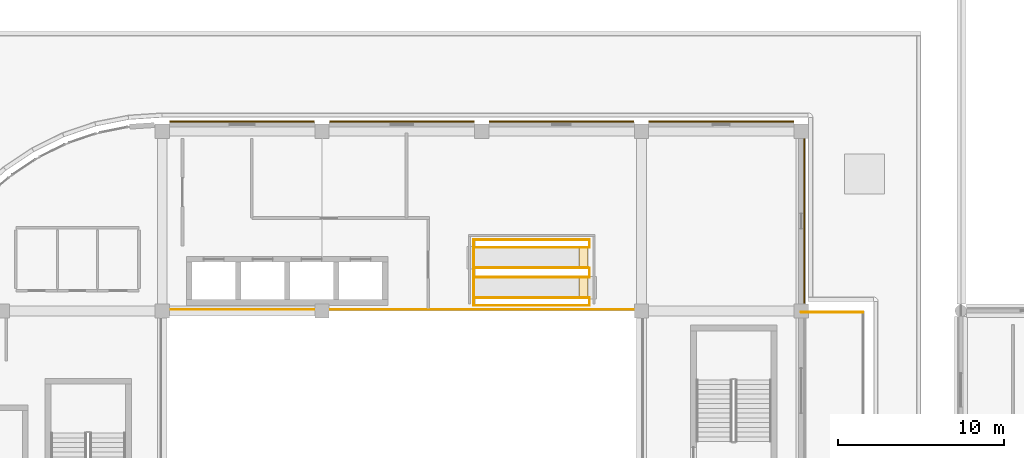
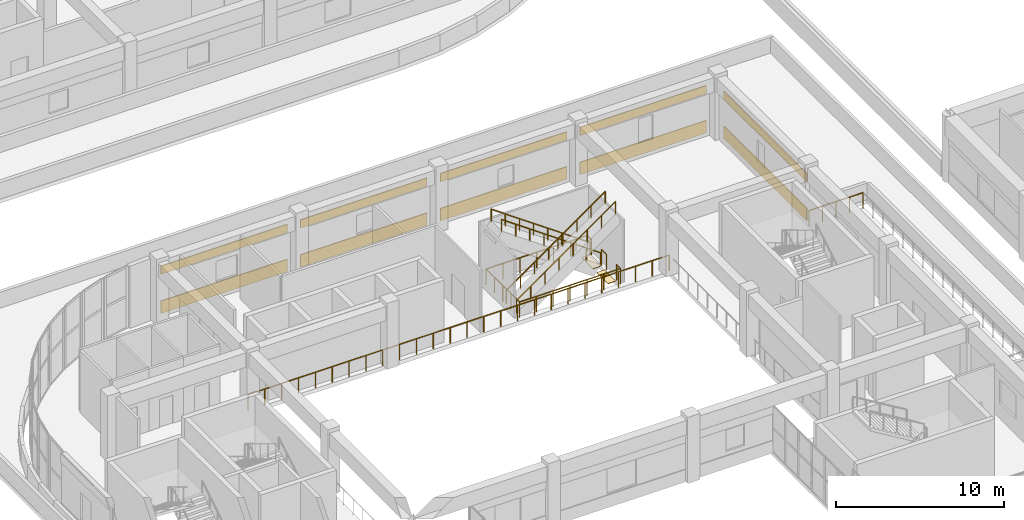
# One storey, part 58 of 67: 12 coverings, 12 railings.
"""IFC4 building model written with IfcOpenShell, lengths in metres."""

from ifc_helpers import new_model, si_unit, direction, frame, origin, origin_2d, place, context, subcontext, project, spatial, polyline, rectangle, circle, outline, extrude, material, layer, layer_set, type_object, element, save


model = new_model("IFC4")

# Units and contexts
model_context = context("Model", 3, precision=1e-05, world=origin(), true_north=direction((0.0, 1.0)))
body_context = subcontext(model_context, "Body", "Model", "MODEL_VIEW")
ifc_project = project(units=[si_unit("LENGTHUNIT", "METRE"), si_unit("AREAUNIT", "SQUARE_METRE"), si_unit("VOLUMEUNIT", "CUBIC_METRE"), si_unit("PLANEANGLEUNIT", "RADIAN"), si_unit("MASSUNIT", "GRAM", prefix="KILO")], contexts=[model_context])

# Site, building, storey
site_placement = place(None, origin())
site = spatial("IfcSite", under=ifc_project, at=site_placement, CompositionType="ELEMENT")
building_placement = place(site_placement, origin())
building = spatial("IfcBuilding", under=site, at=building_placement, Name="Cendralis Terraced Arcade", CompositionType="ELEMENT")
storey_placement = place(building_placement, frame((0.0, 0.0, 15.0)))
storey = spatial("IfcBuildingStorey", under=building, at=storey_placement, Name="L03", CompositionType="ELEMENT", Elevation=15.0)

# Coverings
ifc_material_1 = material(Name="Precast concrete f'c 40 MPa", Category="concrete")
ifc_layer_1 = layer(ifc_material_1, 0.06494140625, Name="COV-CLAD-GRC-65")
ifc_layer_set_1 = layer_set([ifc_layer_1], Name="Precast concrete f'c 40 MPa")
covering_type_1 = type_object("IfcCoveringType", Name="COV-CLAD-GRC-65", PredefinedType="CLADDING", material=ifc_layer_set_1)
covering_1_placement = place(storey_placement, frame((24.0, 49.780029296875, 0.0), z_axis=(0.0, 0.0, 1.0), x_axis=(1.0, 0.0, 0.0)))
element("IfcCovering", 1, at=covering_1_placement, inside=storey, type_object=covering_type_1, Name="Banded Precast Stone Spandrel Cladding L03-383", PredefinedType="CLADDING", context=body_context, shape_type="SweptSolid", body=[
    extrude(rectangle(XDim=8.694091796875, YDim=0.06494140625, at=origin_2d()), origin(), (0.0, 0.0, 1.0), 0.89990234375),
])
covering_2_placement = place(storey_placement, frame((24.0, 49.780029296875, 2.83984375), z_axis=(0.0, 0.0, 1.0), x_axis=(1.0, 0.0, 0.0)))
element("IfcCovering", 2, at=covering_2_placement, inside=storey, type_object=covering_type_1, Name="Banded Precast Stone Lintel Cladding L03-384", PredefinedType="CLADDING", context=body_context, shape_type="SweptSolid", body=[
    extrude(rectangle(XDim=8.694091796875, YDim=0.06494140625, at=origin_2d()), origin(), (0.0, 0.0, 1.0), 0.60009765625),
])
covering_3_placement = place(storey_placement, frame((33.60009765625, 49.780029296875, 0.0), z_axis=(0.0, 0.0, 1.0), x_axis=(1.0, 0.0, 0.0)))
element("IfcCovering", 3, at=covering_3_placement, inside=storey, type_object=covering_type_1, Name="Banded Precast Stone Spandrel Cladding L03-385", PredefinedType="CLADDING", context=body_context, shape_type="SweptSolid", body=[
    extrude(rectangle(XDim=8.694091796875, YDim=0.06494140625, at=origin_2d()), origin(), (0.0, 0.0, 1.0), 0.89990234375),
])
covering_4_placement = place(storey_placement, frame((33.60009765625, 49.780029296875, 2.83984375), z_axis=(0.0, 0.0, 1.0), x_axis=(1.0, 0.0, 0.0)))
element("IfcCovering", 4, at=covering_4_placement, inside=storey, type_object=covering_type_1, Name="Banded Precast Stone Lintel Cladding L03-386", PredefinedType="CLADDING", context=body_context, shape_type="SweptSolid", body=[
    extrude(rectangle(XDim=8.694091796875, YDim=0.06494140625, at=origin_2d()), origin(), (0.0, 0.0, 1.0), 0.60009765625),
])
covering_5_placement = place(storey_placement, frame((43.199951171875, 49.780029296875, 0.0), z_axis=(0.0, 0.0, 1.0), x_axis=(1.0, 0.0, 0.0)))
element("IfcCovering", 5, at=covering_5_placement, inside=storey, type_object=covering_type_1, Name="Banded Precast Stone Spandrel Cladding L03-387", PredefinedType="CLADDING", context=body_context, shape_type="SweptSolid", body=[
    extrude(rectangle(XDim=8.694091796875, YDim=0.06494140625, at=origin_2d()), origin(), (0.0, 0.0, 1.0), 0.89990234375),
])
covering_6_placement = place(storey_placement, frame((43.199951171875, 49.780029296875, 2.83984375), z_axis=(0.0, 0.0, 1.0), x_axis=(1.0, 0.0, 0.0)))
element("IfcCovering", 6, at=covering_6_placement, inside=storey, type_object=covering_type_1, Name="Banded Precast Stone Lintel Cladding L03-388", PredefinedType="CLADDING", context=body_context, shape_type="SweptSolid", body=[
    extrude(rectangle(XDim=8.694091796875, YDim=0.06494140625, at=origin_2d()), origin(), (0.0, 0.0, 1.0), 0.60009765625),
])
covering_7_placement = place(storey_placement, frame((52.800048828125, 49.780029296875, 0.0), z_axis=(0.0, 0.0, 1.0), x_axis=(1.0, 0.0, 0.0)))
element("IfcCovering", 7, at=covering_7_placement, inside=storey, type_object=covering_type_1, Name="Banded Precast Stone Spandrel Cladding L03-389", PredefinedType="CLADDING", context=body_context, shape_type="SweptSolid", body=[
    extrude(rectangle(XDim=8.694091796875, YDim=0.06494140625, at=origin_2d()), origin(), (0.0, 0.0, 1.0), 0.89990234375),
])
covering_8_placement = place(storey_placement, frame((52.800048828125, 49.780029296875, 2.83984375), z_axis=(0.0, 0.0, 1.0), x_axis=(1.0, 0.0, 0.0)))
element("IfcCovering", 8, at=covering_8_placement, inside=storey, type_object=covering_type_1, Name="Banded Precast Stone Lintel Cladding L03-390", PredefinedType="CLADDING", context=body_context, shape_type="SweptSolid", body=[
    extrude(rectangle(XDim=8.694091796875, YDim=0.06494140625, at=origin_2d()), origin(), (0.0, 0.0, 1.0), 0.60009765625),
])
covering_9_placement = place(storey_placement, frame((57.780029296875, 43.800048828125, 0.0), z_axis=(0.0, 0.0, 1.0), x_axis=(0.0, -1.0, 0.0)))
element("IfcCovering", 9, at=covering_9_placement, inside=storey, type_object=covering_type_1, Name="Banded Precast Stone Spandrel Cladding L03-391", PredefinedType="CLADDING", context=body_context, shape_type="SweptSolid", body=[
    extrude(rectangle(XDim=9.89404296875, YDim=0.06494140625, at=origin_2d()), origin(), (0.0, 0.0, 1.0), 0.89990234375),
])
covering_10_placement = place(storey_placement, frame((57.780029296875, 43.800048828125, 2.83984375), z_axis=(0.0, 0.0, 1.0), x_axis=(0.0, -1.0, 0.0)))
element("IfcCovering", 10, at=covering_10_placement, inside=storey, type_object=covering_type_1, Name="Banded Precast Stone Lintel Cladding L03-392", PredefinedType="CLADDING", context=body_context, shape_type="SweptSolid", body=[
    extrude(rectangle(XDim=9.89404296875, YDim=0.06494140625, at=origin_2d()), origin(), (0.0, 0.0, 1.0), 0.60009765625),
])
ifc_material_2 = material(Name="Polished Bogota limestone terrazzo flooring", Category="masonry")
ifc_layer_2 = layer(ifc_material_2, 0.030029296875, Name="COV-FLR-TERZ-30")
ifc_layer_set_2 = layer_set([ifc_layer_2], Name="Polished Bogota limestone terrazzo flooring")
covering_type_2 = type_object("IfcCoveringType", Name="COV-FLR-TERZ-30", PredefinedType="FLOORING", material=ifc_layer_set_2)
covering_11_placement = place(storey_placement, frame((0.0, 0.0, -0.030029296875)))
element("IfcCovering", 11, at=covering_11_placement, inside=storey, type_object=covering_type_2, Name="Escalator Landing Comb-Plate Finish L03-05", PredefinedType="FLOORING", context=body_context, shape_type="SweptSolid", body=[
    extrude(outline(polyline([(44.25, 39.125), (44.77490234375, 39.125), (44.77490234375, 40.47509765625), (44.25, 40.47509765625), (44.25, 39.125)])), origin(), (0.0, 0.0, 1.0), 0.030029296875),
])
covering_12_placement = place(storey_placement, frame((0.0, 0.0, -0.030029296875)))
element("IfcCovering", 12, at=covering_12_placement, inside=storey, type_object=covering_type_2, Name="Escalator Landing Comb-Plate Finish L03-06", PredefinedType="FLOORING", context=body_context, shape_type="SweptSolid", body=[
    extrude(outline(polyline([(44.25, 40.925048828125), (44.77490234375, 40.925048828125), (44.77490234375, 42.27490234375), (44.25, 42.27490234375), (44.25, 40.925048828125)])), origin(), (0.0, 0.0, 1.0), 0.030029296875),
])

# Railings
ifc_material_3 = material(Name="Brushed stainless steel AISI 316", Category="steel")
railing_type_1 = type_object("IfcRailingType", Name="RL-ESC-HAND-950", PredefinedType="HANDRAIL", material=ifc_material_3)
for number, where, name in (
    (13, (38.0, 39.18505859375, 0.0), "Escalator Balustrade Handrail ESC-07-1"),
    (14, (38.0, 40.4150390625, 0.0), "Escalator Balustrade Handrail ESC-07-2"),
):
    element("IfcRailing", number, at=place(storey_placement, frame(where)), inside=storey, type_object=railing_type_1, Name=name, PredefinedType="HANDRAIL", context=body_context, shape_type="SweptSolid", body=[
        extrude(circle(Radius=0.02392578125, at=origin_2d()), frame((0.0, 0.0, 0.92578125), z_axis=(0.816967050385, 0.0, 0.576684349177), x_axis=(0.0, 1.0, 0.0)), (0.0, 0.0, 1.0), 8.323486328125),
        extrude(circle(Radius=0.02099609375, at=origin_2d()), origin(), (0.0, 0.0, 1.0), 0.90185546875),
        extrude(circle(Radius=0.02099609375, at=origin_2d()), frame((0.971435546875, 0.0, 0.685791015625)), (0.0, 0.0, 1.0), 0.90185546875),
        extrude(circle(Radius=0.02099609375, at=origin_2d()), frame((1.94287109375, 0.0, 1.371337890625)), (0.0, 0.0, 1.0), 0.90185546875),
        extrude(circle(Radius=0.02099609375, at=origin_2d()), frame((2.914306640625, 0.0, 2.05712890625)), (0.0, 0.0, 1.0), 0.90185546875),
        extrude(circle(Radius=0.02099609375, at=origin_2d()), frame((3.8857421875, 0.0, 2.742919921875)), (0.0, 0.0, 1.0), 0.90185546875),
        extrude(circle(Radius=0.02099609375, at=origin_2d()), frame((4.857177734375, 0.0, 3.4287109375)), (0.0, 0.0, 1.0), 0.90185546875),
        extrude(circle(Radius=0.02099609375, at=origin_2d()), frame((5.82861328125, 0.0, 4.1142578125)), (0.0, 0.0, 1.0), 0.90185546875),
        extrude(circle(Radius=0.02099609375, at=origin_2d()), frame((6.800048828125, 0.0, 4.800048828125)), (0.0, 0.0, 1.0), 0.90185546875),
    ])
for number, where, name in (
    (15, (44.800048828125, 40.985107421875, 0.0), "Escalator Balustrade Handrail ESC-08-1"),
    (16, (44.800048828125, 42.215087890625, 0.0), "Escalator Balustrade Handrail ESC-08-2"),
):
    element("IfcRailing", number, at=place(storey_placement, frame(where)), inside=storey, type_object=railing_type_1, Name=name, PredefinedType="HANDRAIL", context=body_context, shape_type="SweptSolid", body=[
        extrude(circle(Radius=0.02392578125, at=origin_2d()), frame((0.0, 0.0, 0.92578125), z_axis=(-0.816967050385, 0.0, 0.576684349177), x_axis=(0.0, -1.0, 0.0)), (0.0, 0.0, 1.0), 8.323486328125),
        extrude(circle(Radius=0.02099609375, at=origin_2d()), origin(), (0.0, 0.0, 1.0), 0.90185546875),
        extrude(circle(Radius=0.02099609375, at=origin_2d()), frame((-0.971435546875, 0.0, 0.685791015625)), (0.0, 0.0, 1.0), 0.90185546875),
        extrude(circle(Radius=0.02099609375, at=origin_2d()), frame((-1.94287109375, 0.0, 1.371337890625)), (0.0, 0.0, 1.0), 0.90185546875),
        extrude(circle(Radius=0.02099609375, at=origin_2d()), frame((-2.914306640625, 0.0, 2.05712890625)), (0.0, 0.0, 1.0), 0.90185546875),
        extrude(circle(Radius=0.02099609375, at=origin_2d()), frame((-3.8857421875, 0.0, 2.742919921875)), (0.0, 0.0, 1.0), 0.90185546875),
        extrude(circle(Radius=0.02099609375, at=origin_2d()), frame((-4.857177734375, 0.0, 3.4287109375)), (0.0, 0.0, 1.0), 0.90185546875),
        extrude(circle(Radius=0.02099609375, at=origin_2d()), frame((-5.82861328125, 0.0, 4.1142578125)), (0.0, 0.0, 1.0), 0.90185546875),
        extrude(circle(Radius=0.02099609375, at=origin_2d()), frame((-6.800048828125, 0.0, 4.800048828125)), (0.0, 0.0, 1.0), 0.90185546875),
    ])
railing_type_2 = type_object("IfcRailingType", Name="RL-TER-GUARD-1150", PredefinedType="GUARDRAIL", material=ifc_material_3)
railing_1_placement = place(storey_placement, frame((61.320068359375, 38.320068359375, 0.0)))
element("IfcRailing", 17, at=railing_1_placement, inside=storey, type_object=railing_type_2, Name="Planted Terrace Perimeter Guardrail GR-TER-L03-011", PredefinedType="GUARDRAIL", context=body_context, shape_type="SweptSolid", body=[
    extrude(circle(Radius=0.02392578125, at=origin_2d()), frame((0.0, 0.0, 1.1259765625), z_axis=(-1.0, 0.0, 0.0), x_axis=(0.0, -1.0, 0.0)), (0.0, 0.0, 1.0), 3.719970703125),
    extrude(circle(Radius=0.02099609375, at=origin_2d()), origin(), (0.0, 0.0, 1.0), 1.101806640625),
    extrude(circle(Radius=0.02099609375, at=origin_2d()), frame((-0.929931640625, 0.0, 0.0)), (0.0, 0.0, 1.0), 1.101806640625),
    extrude(circle(Radius=0.02099609375, at=origin_2d()), frame((-1.85986328125, 0.0, 0.0)), (0.0, 0.0, 1.0), 1.101806640625),
    extrude(circle(Radius=0.02099609375, at=origin_2d()), frame((-2.7900390625, 0.0, 0.0)), (0.0, 0.0, 1.0), 1.101806640625),
    extrude(circle(Radius=0.02099609375, at=origin_2d()), frame((-3.719970703125, 0.0, 0.0)), (0.0, 0.0, 1.0), 1.101806640625),
])
railing_type_3 = type_object("IfcRailingType", Name="RL-VOID-BAL-1150", PredefinedType="BALUSTRADE", material=ifc_material_3)
railing_2_placement = place(storey_placement, frame((44.8798828125, 38.719970703125, 0.0)))
element("IfcRailing", 18, at=railing_2_placement, inside=storey, type_object=railing_type_3, Name="Escalator Well Deck-Edge Balustrade L03-013", PredefinedType="BALUSTRADE", context=body_context, shape_type="SweptSolid", body=[
    extrude(circle(Radius=0.02392578125, at=origin_2d()), frame((0.0, 0.0, 1.1259765625), z_axis=(-1.0, 0.0, 0.0), x_axis=(0.0, -1.0, 0.0)), (0.0, 0.0, 1.0), 6.9599609375),
    extrude(circle(Radius=0.02099609375, at=origin_2d()), origin(), (0.0, 0.0, 1.0), 1.101806640625),
    extrude(circle(Radius=0.02099609375, at=origin_2d()), frame((-1.159912109375, 0.0, 0.0)), (0.0, 0.0, 1.0), 1.101806640625),
    extrude(circle(Radius=0.02099609375, at=origin_2d()), frame((-2.320068359375, 0.0, 0.0)), (0.0, 0.0, 1.0), 1.101806640625),
    extrude(circle(Radius=0.02099609375, at=origin_2d()), frame((-3.47998046875, 0.0, 0.0)), (0.0, 0.0, 1.0), 1.101806640625),
    extrude(circle(Radius=0.02099609375, at=origin_2d()), frame((-4.639892578125, 0.0, 0.0)), (0.0, 0.0, 1.0), 1.101806640625),
    extrude(circle(Radius=0.02099609375, at=origin_2d()), frame((-5.800048828125, 0.0, 0.0)), (0.0, 0.0, 1.0), 1.101806640625),
    extrude(circle(Radius=0.02099609375, at=origin_2d()), frame((-6.9599609375, 0.0, 0.0)), (0.0, 0.0, 1.0), 1.101806640625),
])
railing_3_placement = place(storey_placement, frame((37.919921875, 38.719970703125, 0.0)))
element("IfcRailing", 19, at=railing_3_placement, inside=storey, type_object=railing_type_3, Name="Escalator Well Deck-Edge Balustrade L03-014", PredefinedType="BALUSTRADE", context=body_context, shape_type="SweptSolid", body=[
    extrude(circle(Radius=0.02392578125, at=origin_2d()), frame((0.0, 0.0, 1.1259765625), z_axis=(0.0, 1.0, 0.0), x_axis=(-1.0, 0.0, 0.0)), (0.0, 0.0, 1.0), 3.9599609375),
    extrude(circle(Radius=0.02099609375, at=origin_2d()), origin(), (0.0, 0.0, 1.0), 1.101806640625),
    extrude(circle(Radius=0.02099609375, at=origin_2d()), frame((0.0, 0.989990234375, 0.0)), (0.0, 0.0, 1.0), 1.101806640625),
    extrude(circle(Radius=0.02099609375, at=origin_2d()), frame((0.0, 1.97998046875, 0.0)), (0.0, 0.0, 1.0), 1.101806640625),
    extrude(circle(Radius=0.02099609375, at=origin_2d()), frame((0.0, 2.969970703125, 0.0)), (0.0, 0.0, 1.0), 1.101806640625),
    extrude(circle(Radius=0.02099609375, at=origin_2d()), frame((0.0, 3.9599609375, 0.0)), (0.0, 0.0, 1.0), 1.101806640625),
])
railing_4_placement = place(storey_placement, frame((37.919921875, 42.679931640625, 0.0)))
element("IfcRailing", 20, at=railing_4_placement, inside=storey, type_object=railing_type_3, Name="Escalator Well Deck-Edge Balustrade L03-015", PredefinedType="BALUSTRADE", context=body_context, shape_type="SweptSolid", body=[
    extrude(circle(Radius=0.02392578125, at=origin_2d()), frame((0.0, 0.0, 1.1259765625), z_axis=(1.0, 0.0, 0.0), x_axis=(0.0, 1.0, 0.0)), (0.0, 0.0, 1.0), 6.9599609375),
    extrude(circle(Radius=0.02099609375, at=origin_2d()), origin(), (0.0, 0.0, 1.0), 1.101806640625),
    extrude(circle(Radius=0.02099609375, at=origin_2d()), frame((1.159912109375, 0.0, 0.0)), (0.0, 0.0, 1.0), 1.101806640625),
    extrude(circle(Radius=0.02099609375, at=origin_2d()), frame((2.320068359375, 0.0, 0.0)), (0.0, 0.0, 1.0), 1.101806640625),
    extrude(circle(Radius=0.02099609375, at=origin_2d()), frame((3.47998046875, 0.0, 0.0)), (0.0, 0.0, 1.0), 1.101806640625),
    extrude(circle(Radius=0.02099609375, at=origin_2d()), frame((4.639892578125, 0.0, 0.0)), (0.0, 0.0, 1.0), 1.101806640625),
    extrude(circle(Radius=0.02099609375, at=origin_2d()), frame((5.800048828125, 0.0, 0.0)), (0.0, 0.0, 1.0), 1.101806640625),
    extrude(circle(Radius=0.02099609375, at=origin_2d()), frame((6.9599609375, 0.0, 0.0)), (0.0, 0.0, 1.0), 1.101806640625),
])
railing_5_placement = place(storey_placement, frame((44.8798828125, 38.719970703125, 0.0)))
element("IfcRailing", 21, at=railing_5_placement, inside=storey, type_object=railing_type_3, Name="Escalator Well Deck-Edge Balustrade L03-016", PredefinedType="BALUSTRADE", context=body_context, shape_type="SweptSolid", body=[
    extrude(circle(Radius=0.02392578125, at=origin_2d()), frame((0.0, 0.0, 1.1259765625), z_axis=(0.0, 1.0, 0.0), x_axis=(-1.0, 0.0, 0.0)), (0.0, 0.0, 1.0), 0.465087890625),
    extrude(circle(Radius=0.02099609375, at=origin_2d()), origin(), (0.0, 0.0, 1.0), 1.101806640625),
    extrude(circle(Radius=0.02099609375, at=origin_2d()), frame((0.0, 0.465087890625, 0.0)), (0.0, 0.0, 1.0), 1.101806640625),
])
railing_6_placement = place(storey_placement, frame((44.8798828125, 40.4150390625, 0.0)))
element("IfcRailing", 22, at=railing_6_placement, inside=storey, type_object=railing_type_3, Name="Escalator Well Deck-Edge Balustrade L03-017", PredefinedType="BALUSTRADE", context=body_context, shape_type="SweptSolid", body=[
    extrude(circle(Radius=0.02392578125, at=origin_2d()), frame((0.0, 0.0, 1.1259765625), z_axis=(0.0, 1.0, 0.0), x_axis=(-1.0, 0.0, 0.0)), (0.0, 0.0, 1.0), 0.570068359375),
    extrude(circle(Radius=0.02099609375, at=origin_2d()), origin(), (0.0, 0.0, 1.0), 1.101806640625),
    extrude(circle(Radius=0.02099609375, at=origin_2d()), frame((0.0, 0.570068359375, 0.0)), (0.0, 0.0, 1.0), 1.101806640625),
])
railing_7_placement = place(storey_placement, frame((44.8798828125, 42.215087890625, 0.0)))
element("IfcRailing", 23, at=railing_7_placement, inside=storey, type_object=railing_type_3, Name="Escalator Well Deck-Edge Balustrade L03-018", PredefinedType="BALUSTRADE", context=body_context, shape_type="SweptSolid", body=[
    extrude(circle(Radius=0.02392578125, at=origin_2d()), frame((0.0, 0.0, 1.1259765625), z_axis=(0.0, 1.0, 0.0), x_axis=(-1.0, 0.0, 0.0)), (0.0, 0.0, 1.0), 0.46484375),
    extrude(circle(Radius=0.02099609375, at=origin_2d()), origin(), (0.0, 0.0, 1.0), 1.101806640625),
    extrude(circle(Radius=0.02099609375, at=origin_2d()), frame((0.0, 0.46484375, 0.0)), (0.0, 0.0, 1.0), 1.101806640625),
])
railing_8_placement = place(storey_placement, frame((48.080078125, 38.47998046875, 0.0)))
element("IfcRailing", 24, at=railing_8_placement, inside=storey, type_object=railing_type_3, Name="Atrium and Arcade Gallery Balustrade L03-060", PredefinedType="BALUSTRADE", context=body_context, shape_type="SweptSolid", body=[
    extrude(circle(Radius=0.02392578125, at=origin_2d()), frame((0.0, 0.0, 1.1259765625), z_axis=(-1.0, 0.0, 0.0), x_axis=(0.0, -1.0, 0.0)), (0.0, 0.0, 1.0), 28.9599609375),
    extrude(circle(Radius=0.02099609375, at=origin_2d()), origin(), (0.0, 0.0, 1.0), 1.101806640625),
    extrude(circle(Radius=0.02099609375, at=origin_2d()), frame((-1.158447265625, 0.0, 0.0)), (0.0, 0.0, 1.0), 1.101806640625),
    extrude(circle(Radius=0.02099609375, at=origin_2d()), frame((-2.31689453125, 0.0, 0.0)), (0.0, 0.0, 1.0), 1.101806640625),
    extrude(circle(Radius=0.02099609375, at=origin_2d()), frame((-3.47509765625, 0.0, 0.0)), (0.0, 0.0, 1.0), 1.101806640625),
    extrude(circle(Radius=0.02099609375, at=origin_2d()), frame((-4.633544921875, 0.0, 0.0)), (0.0, 0.0, 1.0), 1.101806640625),
    extrude(circle(Radius=0.02099609375, at=origin_2d()), frame((-5.7919921875, 0.0, 0.0)), (0.0, 0.0, 1.0), 1.101806640625),
    extrude(circle(Radius=0.02099609375, at=origin_2d()), frame((-6.950439453125, 0.0, 0.0)), (0.0, 0.0, 1.0), 1.101806640625),
    extrude(circle(Radius=0.02099609375, at=origin_2d()), frame((-8.10888671875, 0.0, 0.0)), (0.0, 0.0, 1.0), 1.101806640625),
    extrude(circle(Radius=0.02099609375, at=origin_2d()), frame((-9.26708984375, 0.0, 0.0)), (0.0, 0.0, 1.0), 1.101806640625),
    extrude(circle(Radius=0.02099609375, at=origin_2d()), frame((-10.425537109375, 0.0, 0.0)), (0.0, 0.0, 1.0), 1.101806640625),
    extrude(circle(Radius=0.02099609375, at=origin_2d()), frame((-11.583984375, 0.0, 0.0)), (0.0, 0.0, 1.0), 1.101806640625),
    extrude(circle(Radius=0.02099609375, at=origin_2d()), frame((-12.742431640625, 0.0, 0.0)), (0.0, 0.0, 1.0), 1.101806640625),
    extrude(circle(Radius=0.02099609375, at=origin_2d()), frame((-13.90087890625, 0.0, 0.0)), (0.0, 0.0, 1.0), 1.101806640625),
    extrude(circle(Radius=0.02099609375, at=origin_2d()), frame((-15.05908203125, 0.0, 0.0)), (0.0, 0.0, 1.0), 1.101806640625),
    extrude(circle(Radius=0.02099609375, at=origin_2d()), frame((-16.217529296875, 0.0, 0.0)), (0.0, 0.0, 1.0), 1.101806640625),
    extrude(circle(Radius=0.02099609375, at=origin_2d()), frame((-17.3759765625, 0.0, 0.0)), (0.0, 0.0, 1.0), 1.101806640625),
    extrude(circle(Radius=0.02099609375, at=origin_2d()), frame((-18.534423828125, 0.0, 0.0)), (0.0, 0.0, 1.0), 1.101806640625),
    extrude(circle(Radius=0.02099609375, at=origin_2d()), frame((-19.69287109375, 0.0, 0.0)), (0.0, 0.0, 1.0), 1.101806640625),
    extrude(circle(Radius=0.02099609375, at=origin_2d()), frame((-20.85107421875, 0.0, 0.0)), (0.0, 0.0, 1.0), 1.101806640625),
    extrude(circle(Radius=0.02099609375, at=origin_2d()), frame((-22.009521484375, 0.0, 0.0)), (0.0, 0.0, 1.0), 1.101806640625),
    extrude(circle(Radius=0.02099609375, at=origin_2d()), frame((-23.16796875, 0.0, 0.0)), (0.0, 0.0, 1.0), 1.101806640625),
    extrude(circle(Radius=0.02099609375, at=origin_2d()), frame((-24.326416015625, 0.0, 0.0)), (0.0, 0.0, 1.0), 1.101806640625),
    extrude(circle(Radius=0.02099609375, at=origin_2d()), frame((-25.48486328125, 0.0, 0.0)), (0.0, 0.0, 1.0), 1.101806640625),
    extrude(circle(Radius=0.02099609375, at=origin_2d()), frame((-26.64306640625, 0.0, 0.0)), (0.0, 0.0, 1.0), 1.101806640625),
    extrude(circle(Radius=0.02099609375, at=origin_2d()), frame((-27.801513671875, 0.0, 0.0)), (0.0, 0.0, 1.0), 1.101806640625),
    extrude(circle(Radius=0.02099609375, at=origin_2d()), frame((-28.9599609375, 0.0, 0.0)), (0.0, 0.0, 1.0), 1.101806640625),
])

save(model, "model.ifc")
